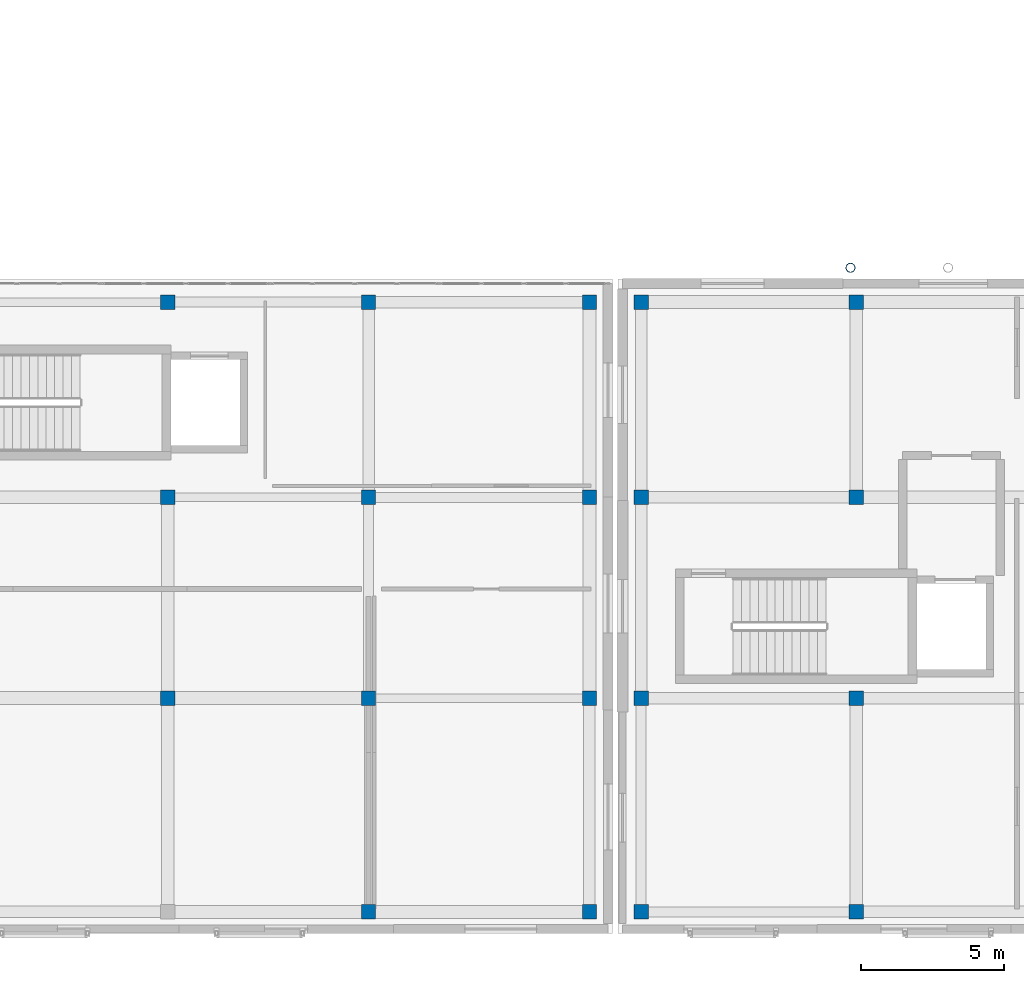
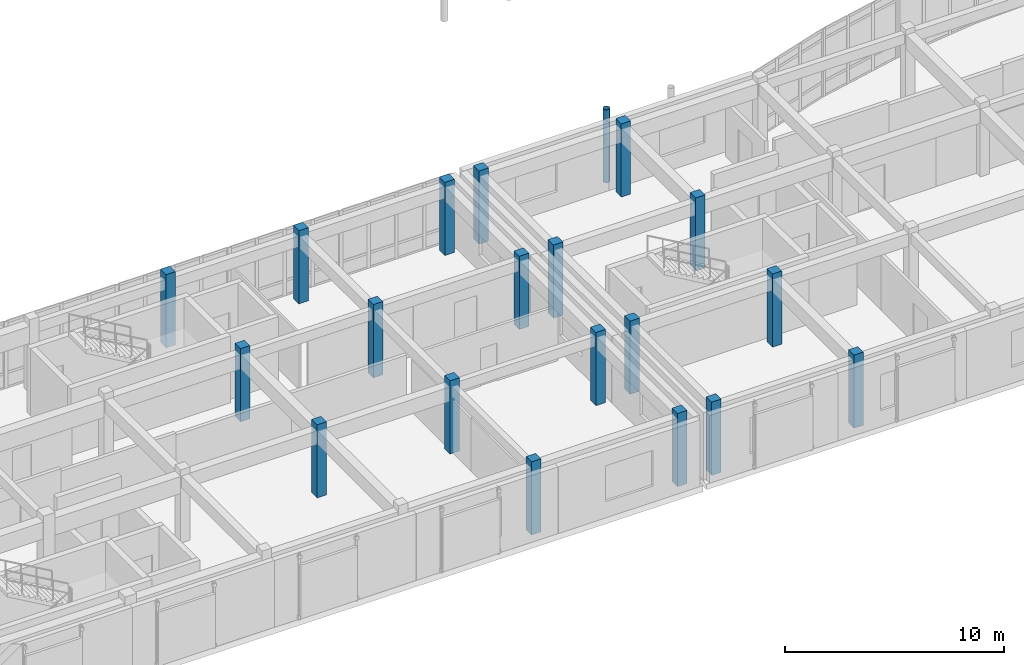
# One storey, part 2 of 91: 20 columns.
"""IFC4 building model written with IfcOpenShell, lengths in metres."""

from ifc_helpers import new_model, si_unit, direction, frame, origin, origin_2d, place, context, subcontext, project, spatial, rectangle, hollow_circle, extrude, material, material_profile, profile_set, type_object, element, save


model = new_model("IFC4")

# Units and contexts
model_context = context("Model", 3, precision=1e-05, world=origin(), true_north=direction((0.0, 1.0)))
body_context = subcontext(model_context, "Body", "Model", "MODEL_VIEW")
ifc_project = project(units=[si_unit("LENGTHUNIT", "METRE"), si_unit("AREAUNIT", "SQUARE_METRE"), si_unit("VOLUMEUNIT", "CUBIC_METRE"), si_unit("PLANEANGLEUNIT", "RADIAN"), si_unit("MASSUNIT", "GRAM", prefix="KILO")], contexts=[model_context])

# Site, building, storey
site_placement = place(None, origin())
site = spatial("IfcSite", under=ifc_project, at=site_placement, CompositionType="ELEMENT")
building_placement = place(site_placement, origin())
building = spatial("IfcBuilding", under=site, at=building_placement, Name="Valcora Specialist Clinic", CompositionType="ELEMENT")
storey_placement = place(building_placement, frame((0.0, 0.0, 13.60009765625)))
storey = spatial("IfcBuildingStorey", under=building, at=storey_placement, Name="L03", CompositionType="ELEMENT", Elevation=13.60009765625)

# Columns
ifc_material_1 = material(Name="Steel ASTM A500 Grade C", Category="steel")
ifc_material_profile_1 = material_profile(ifc_material_1, hollow_circle(Radius=0.162109375, WallThickness=0.011962890625, at=origin_2d()), Name="ST-CHS-324X12")
ifc_profile_set_1 = profile_set([ifc_material_profile_1], Name="Steel ASTM A500 Grade C")
column_type_1 = type_object("IfcColumnType", Name="TY-COL-CHS324", PredefinedType="COLUMN", material=ifc_profile_set_1)
column_placement = place(storey_placement, frame((61.60009765625, 23.199951171875, 0.0), z_axis=(0.0, 0.0, 1.0), x_axis=(1.0, 0.0, 0.0)))
element("IfcColumn", 1, at=column_placement, inside=storey, type_object=column_type_1, Name="Column COL-L03-0963", PredefinedType="COLUMN", context=body_context, shape_type="SweptSolid", body=[
    extrude(hollow_circle(Radius=0.162109375, WallThickness=0.011962890625, at=origin_2d()), origin(), (0.0, 0.0, 1.0), 4.079833984375),
])
ifc_material_2 = material(Name="Concrete C40/50", Category="concrete")
ifc_material_profile_2 = material_profile(ifc_material_2, rectangle(XDim=0.5, YDim=0.5, at=origin_2d()), Name="RC-COL-500X500")
ifc_profile_set_2 = profile_set([ifc_material_profile_2], Name="Concrete C40/50")
column_type_2 = type_object("IfcColumnType", Name="TY-COL-RC500", PredefinedType="COLUMN", material=ifc_profile_set_2)
for number, where, z_axis, x_axis, name in (
    (2, (37.800048828125, 8.199951171875, 0.0), (0.0, 0.0, 1.0), (1.0, 0.0, 0.0), "Column COL-L03-0673"),
    (3, (37.800048828125, 15.199951171875, 0.0), (0.0, 0.0, 1.0), (1.0, 0.0, 0.0), "Column COL-L03-0680"),
    (4, (37.800048828125, 22.0, 0.0), (0.0, 0.0, 1.0), (1.0, 0.0, 0.0), "Column COL-L03-0687"),
    (5, (44.800048828125, 0.75, 0.0), (0.0, 0.0, 1.0), (1.0, 0.0, 0.0), "Column COL-L03-0694"),
    (6, (44.800048828125, 8.199951171875, 0.0), (0.0, 0.0, 1.0), (1.0, 0.0, 0.0), "Column COL-L03-0701"),
    (7, (44.800048828125, 15.199951171875, 0.0), (0.0, 0.0, 1.0), (1.0, 0.0, 0.0), "Column COL-L03-0708"),
    (8, (44.800048828125, 22.0, 0.0), (0.0, 0.0, 1.0), (1.0, 0.0, 0.0), "Column COL-L03-0715"),
    (9, (52.5, 0.75, 0.0), (0.0, 0.0, 1.0), (1.0, 0.0, 0.0), "Column COL-L03-0722"),
    (10, (52.5, 8.199951171875, 0.0), (0.0, 0.0, 1.0), (1.0, 0.0, 0.0), "Column COL-L03-0727"),
    (11, (52.5, 15.199951171875, 0.0), (0.0, 0.0, 1.0), (1.0, 0.0, 0.0), "Column COL-L03-0732"),
    (12, (52.5, 22.0, 0.0), (0.0, 0.0, 1.0), (1.0, 0.0, 0.0), "Column COL-L03-0737"),
    (13, (54.300048828125, 0.75, 0.0), (0.0, 0.0, 1.0), (1.0, 0.0, 0.0), "Column COL-L03-0742"),
    (14, (54.300048828125, 8.199951171875, 0.0), (0.0, 0.0, 1.0), (1.0, 0.0, 0.0), "Column COL-L03-0747"),
    (15, (54.300048828125, 15.199951171875, 0.0), (0.0, 0.0, 1.0), (1.0, 0.0, 0.0), "Column COL-L03-0753"),
    (16, (54.300048828125, 22.0, 0.0), (0.0, 0.0, 1.0), (1.0, 0.0, 0.0), "Column COL-L03-0759"),
    (17, (61.800048828125, 0.75, 0.0), (0.0, 0.0, 1.0), (1.0, 0.0, 0.0), "Column COL-L03-0765"),
    (18, (61.800048828125, 8.199951171875, 0.0), (0.0, 0.0, 1.0), (1.0, 0.0, 0.0), "Column COL-L03-0770"),
    (19, (61.800048828125, 15.199951171875, 0.0), (0.0, 0.0, 1.0), (1.0, 0.0, 0.0), "Column COL-L03-0776"),
    (20, (61.800048828125, 22.0, 0.0), (0.0, 0.0, 1.0), (1.0, 0.0, 0.0), "Column COL-L03-0782"),
):
    element("IfcColumn", number, at=place(storey_placement, frame(where, z_axis=z_axis, x_axis=x_axis)), inside=storey, type_object=column_type_2, Name=name, PredefinedType="COLUMN", context=body_context, shape_type="SweptSolid", body=[
        extrude(rectangle(XDim=0.5, YDim=0.5, at=origin_2d()), origin(), (0.0, 0.0, 1.0), 4.079833984375),
    ])

save(model, "model.ifc")
